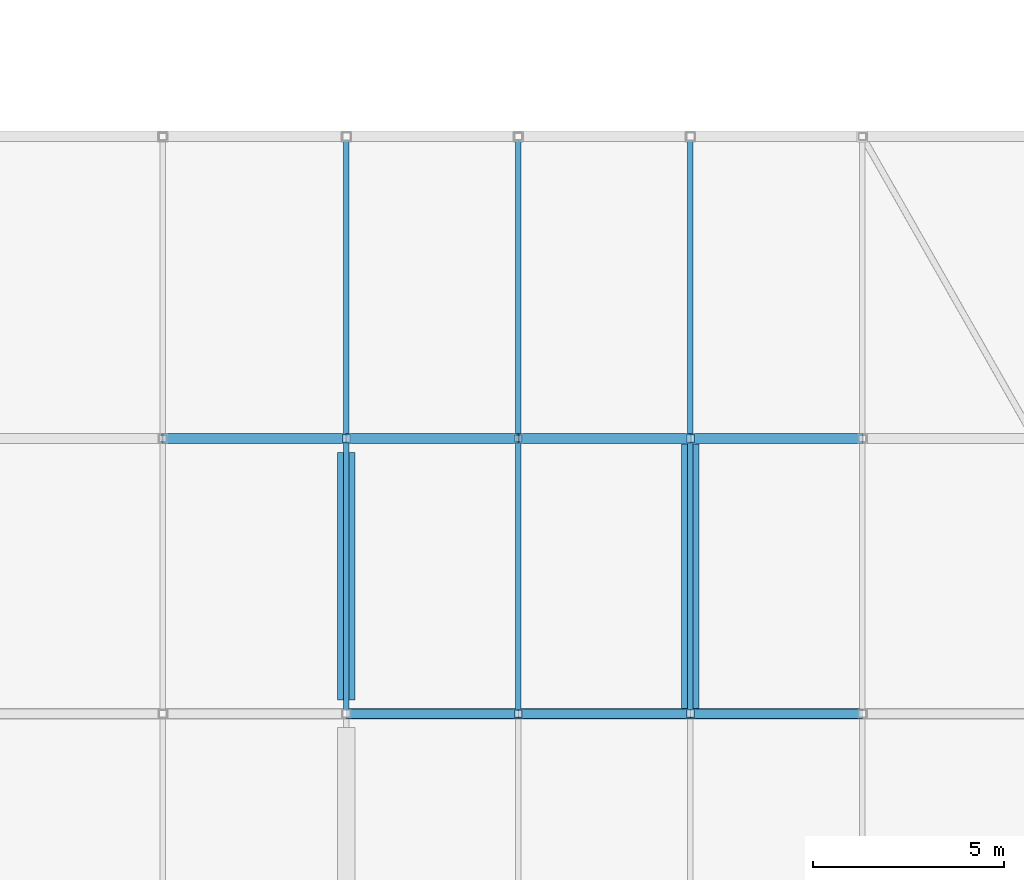
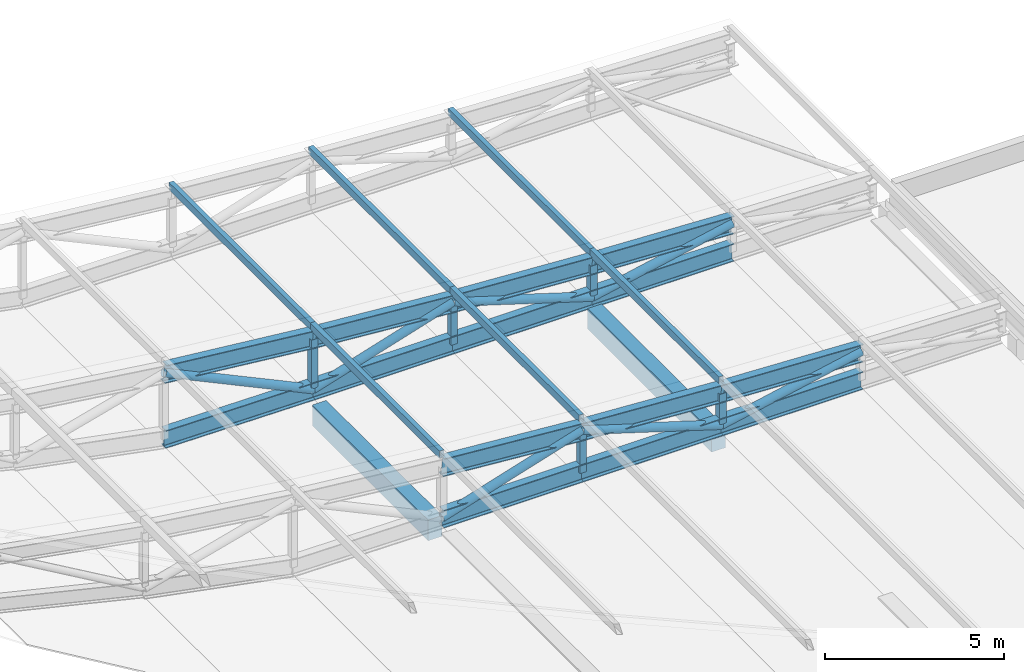
# One storey, part 64 of 114: 18 members, 16 beams.
"""IFC4 building model written with IfcOpenShell, lengths in metres."""

from ifc_helpers import new_model, si_unit, direction, frame, origin, origin_2d, place, context, subcontext, project, spatial, rectangle, hollow_rectangle, hollow_circle, i_section, extrude, material, material_profile, profile_set, type_object, element, save


model = new_model("IFC4")

# Units and contexts
model_context = context("Model", 3, precision=1e-05, world=origin(), true_north=direction((0.0, 1.0)))
body_context = subcontext(model_context, "Body", "Model", "MODEL_VIEW")
ifc_project = project(units=[si_unit("LENGTHUNIT", "METRE"), si_unit("AREAUNIT", "SQUARE_METRE"), si_unit("VOLUMEUNIT", "CUBIC_METRE"), si_unit("PLANEANGLEUNIT", "RADIAN"), si_unit("MASSUNIT", "GRAM", prefix="KILO"), si_unit("THERMODYNAMICTEMPERATUREUNIT", "KELVIN"), si_unit("POWERUNIT", "WATT")], contexts=[model_context])

# Site, building, storey
site_placement = place(None, origin())
site = spatial("IfcSite", under=ifc_project, at=site_placement, CompositionType="ELEMENT")
building_placement = place(site_placement, origin())
building = spatial("IfcBuilding", under=site, at=building_placement, Name="Sindhuravela Promenade Stadium", CompositionType="ELEMENT")
storey_placement = place(building_placement, frame((0.0, 0.0, 24.0)))
storey = spatial("IfcBuildingStorey", under=building, at=storey_placement, Name="L05", CompositionType="ELEMENT", Elevation=24.0)

# Beams
ifc_material_1 = material(Name="Concrete M40", Category="concrete")
ifc_material_profile_1 = material_profile(ifc_material_1, rectangle(XDim=0.449951171875, YDim=0.699951171875, at=origin_2d()), Name="RC 450x700")
ifc_profile_set_1 = profile_set([ifc_material_profile_1], Name="Concrete M40")
beam_type_1 = type_object("IfcBeamType", Name="RC-BM-450x700", PredefinedType="BEAM", material=ifc_profile_set_1)
beam_1_placement = place(storey_placement, frame((180.0, 110.1650390625, -0.594970703125), z_axis=(0.0, 1.0, 0.0), x_axis=(-1.0, 0.0, 0.0)))
element("IfcBeam", 1, at=beam_1_placement, inside=storey, type_object=beam_type_1, Name="Primary beam GB07 EAST L05", PredefinedType="BEAM", context=body_context, shape_type="SweptSolid", body=[
    extrude(rectangle(XDim=0.449951171875, YDim=0.699951171875, at=origin_2d()), origin(), (0.0, 0.0, 1.0), 6.469970703125),
])
beam_2_placement = place(storey_placement, frame((189.0, 109.93994140625, -0.594970703125), z_axis=(0.0, 1.0, 0.0), x_axis=(-1.0, 0.0, 0.0)))
element("IfcBeam", 2, at=beam_2_placement, inside=storey, type_object=beam_type_1, Name="Primary beam GB07 EAST L05", PredefinedType="BEAM", context=body_context, shape_type="SweptSolid", body=[
    extrude(rectangle(XDim=0.449951171875, YDim=0.699951171875, at=origin_2d()), origin(), (0.0, 0.0, 1.0), 6.920166015625),
])
ifc_material_2 = material(Name="Steel E350 (IS 2062 E350BR)", Category="steel")
ifc_material_profile_2 = material_profile(ifc_material_2, i_section(OverallWidth=0.25, OverallDepth=0.60009765625, WebThickness=0.01171875, FlangeThickness=0.023681640625, FilletRadius=0.01708984375, at=origin_2d()), Name="ISWB 600")
ifc_profile_set_2 = profile_set([ifc_material_profile_2], Name="Steel E350 (IS 2062 E350BR)")
beam_type_2 = type_object("IfcBeamType", Name="ST-BM-WB600", PredefinedType="USERDEFINED", material=ifc_profile_set_2)
beam_3_placement = place(storey_placement, frame((193.5, 109.800048828125, 0.9306640625), z_axis=(-0.9990310406412204, 0.0, 0.04401113308380376), x_axis=(0.0, -1.0, 0.0)))
element("IfcBeam", 3, at=beam_3_placement, inside=storey, type_object=beam_type_2, Name="Roof truss RT-E07 top chord 2", ObjectType="ROOF TRUSS", PredefinedType="USERDEFINED", context=body_context, shape_type="SweptSolid", body=[
    extrude(i_section(OverallWidth=0.25, OverallDepth=0.60009765625, WebThickness=0.01171875, FlangeThickness=0.023681640625, FilletRadius=0.01708984375, at=origin_2d()), origin(), (0.0, 0.0, 1.0), 4.50439453125),
])
beam_4_placement = place(storey_placement, frame((193.5, 109.800048828125, 0.0), z_axis=(-1.0, 0.0, 0.0), x_axis=(0.0, -1.0, 0.0)))
element("IfcBeam", 4, at=beam_4_placement, inside=storey, type_object=beam_type_2, Name="Roof truss RT-E07 bottom chord 2", ObjectType="ROOF TRUSS", PredefinedType="USERDEFINED", context=body_context, shape_type="SweptSolid", body=[
    extrude(i_section(OverallWidth=0.25, OverallDepth=0.60009765625, WebThickness=0.01171875, FlangeThickness=0.023681640625, FilletRadius=0.01708984375, at=origin_2d()), origin(), (0.0, 0.0, 1.0), 4.5),
])
beam_5_placement = place(storey_placement, frame((189.0, 109.800048828125, 1.12890625), z_axis=(-0.9981720622420935, 0.0, 0.06043619908106426), x_axis=(0.0, -1.0, 0.0)))
element("IfcBeam", 5, at=beam_5_placement, inside=storey, type_object=beam_type_2, Name="Roof truss RT-E07 top chord 3", ObjectType="ROOF TRUSS", PredefinedType="USERDEFINED", context=body_context, shape_type="SweptSolid", body=[
    extrude(i_section(OverallWidth=0.25, OverallDepth=0.60009765625, WebThickness=0.01171875, FlangeThickness=0.023681640625, FilletRadius=0.01708984375, at=origin_2d()), origin(), (0.0, 0.0, 1.0), 4.50830078125),
])
beam_6_placement = place(storey_placement, frame((189.0, 109.800048828125, 0.0), z_axis=(-1.0, 0.0, 0.0), x_axis=(0.0, -1.0, 0.0)))
element("IfcBeam", 6, at=beam_6_placement, inside=storey, type_object=beam_type_2, Name="Roof truss RT-E07 bottom chord 3", ObjectType="ROOF TRUSS", PredefinedType="USERDEFINED", context=body_context, shape_type="SweptSolid", body=[
    extrude(i_section(OverallWidth=0.25, OverallDepth=0.60009765625, WebThickness=0.01171875, FlangeThickness=0.023681640625, FilletRadius=0.01708984375, at=origin_2d()), origin(), (0.0, 0.0, 1.0), 4.5),
])
beam_7_placement = place(storey_placement, frame((184.5, 109.800048828125, 1.4013671875), z_axis=(-0.9968775679455489, 0.0, 0.07896274138457582), x_axis=(0.0, -1.0, 0.0)))
element("IfcBeam", 7, at=beam_7_placement, inside=storey, type_object=beam_type_2, Name="Roof truss RT-E07 top chord 4", ObjectType="ROOF TRUSS", PredefinedType="USERDEFINED", context=body_context, shape_type="SweptSolid", body=[
    extrude(i_section(OverallWidth=0.25, OverallDepth=0.60009765625, WebThickness=0.01171875, FlangeThickness=0.023681640625, FilletRadius=0.01708984375, at=origin_2d()), origin(), (0.0, 0.0, 1.0), 4.51416015625),
])
beam_8_placement = place(storey_placement, frame((184.5, 109.800048828125, 0.0), z_axis=(-1.0, 0.0, 0.0), x_axis=(0.0, -1.0, 0.0)))
element("IfcBeam", 8, at=beam_8_placement, inside=storey, type_object=beam_type_2, Name="Roof truss RT-E07 bottom chord 4", ObjectType="ROOF TRUSS", PredefinedType="USERDEFINED", context=body_context, shape_type="SweptSolid", body=[
    extrude(i_section(OverallWidth=0.25, OverallDepth=0.60009765625, WebThickness=0.01171875, FlangeThickness=0.023681640625, FilletRadius=0.01708984375, at=origin_2d()), origin(), (0.0, 0.0, 1.0), 4.5),
])
beam_9_placement = place(storey_placement, frame((193.5, 117.0, 0.9306640625), z_axis=(-0.9990310406412204, 0.0, 0.04401113308380376), x_axis=(0.0, -1.0, 0.0)))
element("IfcBeam", 9, at=beam_9_placement, inside=storey, type_object=beam_type_2, Name="Roof truss RT-E08 top chord 2", ObjectType="ROOF TRUSS", PredefinedType="USERDEFINED", context=body_context, shape_type="SweptSolid", body=[
    extrude(i_section(OverallWidth=0.25, OverallDepth=0.60009765625, WebThickness=0.01171875, FlangeThickness=0.023681640625, FilletRadius=0.01708984375, at=origin_2d()), origin(), (0.0, 0.0, 1.0), 4.50439453125),
])
beam_10_placement = place(storey_placement, frame((193.5, 117.0, 0.0), z_axis=(-1.0, 0.0, 0.0), x_axis=(0.0, -1.0, 0.0)))
element("IfcBeam", 10, at=beam_10_placement, inside=storey, type_object=beam_type_2, Name="Roof truss RT-E08 bottom chord 2", ObjectType="ROOF TRUSS", PredefinedType="USERDEFINED", context=body_context, shape_type="SweptSolid", body=[
    extrude(i_section(OverallWidth=0.25, OverallDepth=0.60009765625, WebThickness=0.01171875, FlangeThickness=0.023681640625, FilletRadius=0.01708984375, at=origin_2d()), origin(), (0.0, 0.0, 1.0), 4.5),
])
beam_11_placement = place(storey_placement, frame((189.0, 117.0, 1.12890625), z_axis=(-0.9981720622420935, 0.0, 0.06043619908106426), x_axis=(0.0, -1.0, 0.0)))
element("IfcBeam", 11, at=beam_11_placement, inside=storey, type_object=beam_type_2, Name="Roof truss RT-E08 top chord 3", ObjectType="ROOF TRUSS", PredefinedType="USERDEFINED", context=body_context, shape_type="SweptSolid", body=[
    extrude(i_section(OverallWidth=0.25, OverallDepth=0.60009765625, WebThickness=0.01171875, FlangeThickness=0.023681640625, FilletRadius=0.01708984375, at=origin_2d()), origin(), (0.0, 0.0, 1.0), 4.50830078125),
])
beam_12_placement = place(storey_placement, frame((189.0, 117.0, 0.0), z_axis=(-1.0, 0.0, 0.0), x_axis=(0.0, -1.0, 0.0)))
element("IfcBeam", 12, at=beam_12_placement, inside=storey, type_object=beam_type_2, Name="Roof truss RT-E08 bottom chord 3", ObjectType="ROOF TRUSS", PredefinedType="USERDEFINED", context=body_context, shape_type="SweptSolid", body=[
    extrude(i_section(OverallWidth=0.25, OverallDepth=0.60009765625, WebThickness=0.01171875, FlangeThickness=0.023681640625, FilletRadius=0.01708984375, at=origin_2d()), origin(), (0.0, 0.0, 1.0), 4.5),
])
beam_13_placement = place(storey_placement, frame((184.5, 117.0, 1.4013671875), z_axis=(-0.9968775679455489, 0.0, 0.07896274138457582), x_axis=(0.0, -1.0, 0.0)))
element("IfcBeam", 13, at=beam_13_placement, inside=storey, type_object=beam_type_2, Name="Roof truss RT-E08 top chord 4", ObjectType="ROOF TRUSS", PredefinedType="USERDEFINED", context=body_context, shape_type="SweptSolid", body=[
    extrude(i_section(OverallWidth=0.25, OverallDepth=0.60009765625, WebThickness=0.01171875, FlangeThickness=0.023681640625, FilletRadius=0.01708984375, at=origin_2d()), origin(), (0.0, 0.0, 1.0), 4.51416015625),
])
beam_14_placement = place(storey_placement, frame((184.5, 117.0, 0.0), z_axis=(-1.0, 0.0, 0.0), x_axis=(0.0, -1.0, 0.0)))
element("IfcBeam", 14, at=beam_14_placement, inside=storey, type_object=beam_type_2, Name="Roof truss RT-E08 bottom chord 4", ObjectType="ROOF TRUSS", PredefinedType="USERDEFINED", context=body_context, shape_type="SweptSolid", body=[
    extrude(i_section(OverallWidth=0.25, OverallDepth=0.60009765625, WebThickness=0.01171875, FlangeThickness=0.023681640625, FilletRadius=0.01708984375, at=origin_2d()), origin(), (0.0, 0.0, 1.0), 4.5),
])
beam_15_placement = place(storey_placement, frame((180.0, 117.0, 1.7578125), z_axis=(-0.9947943351162852, 0.0, 0.10190304617894301), x_axis=(0.0, -1.0, 0.0)))
element("IfcBeam", 15, at=beam_15_placement, inside=storey, type_object=beam_type_2, Name="Roof truss RT-E08 top chord 5", ObjectType="ROOF TRUSS", PredefinedType="USERDEFINED", context=body_context, shape_type="SweptSolid", body=[
    extrude(i_section(OverallWidth=0.25, OverallDepth=0.60009765625, WebThickness=0.01171875, FlangeThickness=0.023681640625, FilletRadius=0.01708984375, at=origin_2d()), origin(), (0.0, 0.0, 1.0), 4.8251953125),
])
beam_16_placement = place(storey_placement, frame((180.0, 117.0, 0.0), z_axis=(-0.9999778033758007, 0.0, 0.006662788883690041), x_axis=(0.0, -1.0, 0.0)))
element("IfcBeam", 16, at=beam_16_placement, inside=storey, type_object=beam_type_2, Name="Roof truss RT-E08 bottom chord 5", ObjectType="ROOF TRUSS", PredefinedType="USERDEFINED", context=body_context, shape_type="SweptSolid", body=[
    extrude(i_section(OverallWidth=0.25, OverallDepth=0.60009765625, WebThickness=0.01171875, FlangeThickness=0.023681640625, FilletRadius=0.01708984375, at=origin_2d()), origin(), (0.0, 0.0, 1.0), 4.800048828125),
])

# Members
ifc_material_profile_3 = material_profile(ifc_material_2, hollow_circle(Radius=0.136474609375, WallThickness=0.010009765625, at=origin_2d()), Name="CHS 273.0x10")
ifc_profile_set_3 = profile_set([ifc_material_profile_3], Name="Steel E350 (IS 2062 E350BR)")
member_type_1 = type_object("IfcMemberType", Name="ST-MB-CHS273", PredefinedType="BRACE", material=ifc_profile_set_3)
member_1_placement = place(storey_placement, frame((193.5, 109.800048828125, 0.9306640625), z_axis=(-0.9792764097222669, 0.0, -0.2025283026183421), x_axis=(0.0, -1.0, 0.0)))
element("IfcMember", 17, at=member_1_placement, inside=storey, type_object=member_type_1, Name="Roof truss RT-E07 diagonal web 2", PredefinedType="BRACE", context=body_context, shape_type="SweptSolid", body=[
    extrude(hollow_circle(Radius=0.136474609375, WallThickness=0.010009765625, at=origin_2d()), origin(), (0.0, 0.0, 1.0), 4.59521484375),
])
for number, where, z_axis, x_axis, name in (
    (18, (189.0, 109.800048828125, 0.0), (-0.9547744570376746, 0.0, 0.2973310212346057), (0.0, -1.0, 0.0), "Roof truss RT-E07 diagonal web 3"),
    (19, (184.5, 109.800048828125, 1.4013671875), (-0.9547744570376746, 0.0, -0.2973310212346057), (0.0, -1.0, 0.0), "Roof truss RT-E07 diagonal web 4"),
):
    element("IfcMember", number, at=place(storey_placement, frame(where, z_axis=z_axis, x_axis=x_axis)), inside=storey, type_object=member_type_1, Name=name, PredefinedType="BRACE", context=body_context, shape_type="SweptSolid", body=[
        extrude(hollow_circle(Radius=0.136474609375, WallThickness=0.010009765625, at=origin_2d()), origin(), (0.0, 0.0, 1.0), 4.713134765625),
    ])
member_2_placement = place(storey_placement, frame((193.5, 117.0, 0.9306640625), z_axis=(-0.9792764097222669, 0.0, -0.2025283026183421), x_axis=(0.0, -1.0, 0.0)))
element("IfcMember", 20, at=member_2_placement, inside=storey, type_object=member_type_1, Name="Roof truss RT-E08 diagonal web 2", PredefinedType="BRACE", context=body_context, shape_type="SweptSolid", body=[
    extrude(hollow_circle(Radius=0.136474609375, WallThickness=0.010009765625, at=origin_2d()), origin(), (0.0, 0.0, 1.0), 4.59521484375),
])
for number, where, z_axis, x_axis, name in (
    (21, (189.0, 117.0, 0.0), (-0.9547744570376746, 0.0, 0.2973310212346057), (0.0, -1.0, 0.0), "Roof truss RT-E08 diagonal web 3"),
    (22, (184.5, 117.0, 1.4013671875), (-0.9547744570376746, 0.0, -0.2973310212346057), (0.0, -1.0, 0.0), "Roof truss RT-E08 diagonal web 4"),
):
    element("IfcMember", number, at=place(storey_placement, frame(where, z_axis=z_axis, x_axis=x_axis)), inside=storey, type_object=member_type_1, Name=name, PredefinedType="BRACE", context=body_context, shape_type="SweptSolid", body=[
        extrude(hollow_circle(Radius=0.136474609375, WallThickness=0.010009765625, at=origin_2d()), origin(), (0.0, 0.0, 1.0), 4.713134765625),
    ])
member_3_placement = place(storey_placement, frame((180.0, 117.0, 0.0), z_axis=(-0.9054959907272458, 0.0, 0.4243548170775059), x_axis=(0.0, -1.0, 0.0)))
element("IfcMember", 23, at=member_3_placement, inside=storey, type_object=member_type_1, Name="Roof truss RT-E08 diagonal web 5", PredefinedType="BRACE", context=body_context, shape_type="SweptSolid", body=[
    extrude(hollow_circle(Radius=0.136474609375, WallThickness=0.010009765625, at=origin_2d()), origin(), (0.0, 0.0, 1.0), 5.301025390625),
])
ifc_material_profile_4 = material_profile(ifc_material_2, hollow_rectangle(XDim=0.14990234375, YDim=0.25, WallThickness=0.010009765625, at=origin_2d()), Name="RHS 250x150x10")
ifc_profile_set_4 = profile_set([ifc_material_profile_4], Name="Steel E350 (IS 2062 E350BR)")
member_type_2 = type_object("IfcMemberType", Name="ST-MB-RHS250", PredefinedType="PURLIN", material=ifc_profile_set_4)
for number, where, z_axis, x_axis, name in (
    (24, (189.0, 109.800048828125, 1.52099609375), (0.0, 1.0, 0.0), (-1.0, 0.0, 0.0), "Roof purlin PR01 E bay 7.3"),
    (25, (184.5, 109.800048828125, 1.79345703125), (0.0, 1.0, 0.0), (-1.0, 0.0, 0.0), "Roof purlin PR01 E bay 7.4"),
    (26, (180.0, 109.800048828125, 2.14990234375), (0.0, 1.0, 0.0), (-1.0, 0.0, 0.0), "Roof purlin PR01 E bay 7.5"),
):
    element("IfcMember", number, at=place(storey_placement, frame(where, z_axis=z_axis, x_axis=x_axis)), inside=storey, type_object=member_type_2, Name=name, PredefinedType="PURLIN", context=body_context, shape_type="SweptSolid", body=[
        extrude(hollow_rectangle(XDim=0.14990234375, YDim=0.25, WallThickness=0.010009765625, at=origin_2d()), origin(), (0.0, 0.0, 1.0), 7.199951171875),
    ])
for number, where, z_axis, x_axis, name in (
    (27, (189.0, 117.0, 1.52099609375), (0.0, 1.0, 0.0), (-1.0, 0.0, 0.0), "Roof purlin PR01 E bay 8.3"),
    (28, (184.5, 117.0, 1.79345703125), (0.0, 1.0, 0.0), (-1.0, 0.0, 0.0), "Roof purlin PR01 E bay 8.4"),
    (29, (180.0, 117.0, 2.14990234375), (0.0, 1.0, 0.0), (-1.0, 0.0, 0.0), "Roof purlin PR01 E bay 8.5"),
):
    element("IfcMember", number, at=place(storey_placement, frame(where, z_axis=z_axis, x_axis=x_axis)), inside=storey, type_object=member_type_2, Name=name, PredefinedType="PURLIN", context=body_context, shape_type="SweptSolid", body=[
        extrude(hollow_rectangle(XDim=0.14990234375, YDim=0.25, WallThickness=0.010009765625, at=origin_2d()), origin(), (0.0, 0.0, 1.0), 7.89990234375),
    ])
ifc_material_profile_5 = material_profile(ifc_material_2, hollow_rectangle(XDim=0.199951171875, YDim=0.199951171875, WallThickness=0.010009765625, at=origin_2d()), Name="SHS 200x200x10")
ifc_profile_set_5 = profile_set([ifc_material_profile_5], Name="Steel E350 (IS 2062 E350BR)")
member_type_3 = type_object("IfcMemberType", Name="ST-MB-SHS200", PredefinedType="POST", material=ifc_profile_set_5)
for number, where, z_axis, x_axis, name in (
    (30, (184.5, 109.800048828125, 0.0), (0.0, 0.0, 1.0), (1.0, 0.0, 0.0), "Roof truss RT-E07 vertical post 4"),
    (31, (184.5, 117.0, 0.0), (0.0, 0.0, 1.0), (1.0, 0.0, 0.0), "Roof truss RT-E08 vertical post 4"),
):
    element("IfcMember", number, at=place(storey_placement, frame(where, z_axis=z_axis, x_axis=x_axis)), inside=storey, type_object=member_type_3, Name=name, PredefinedType="POST", context=body_context, shape_type="SweptSolid", body=[
        extrude(hollow_rectangle(XDim=0.199951171875, YDim=0.199951171875, WallThickness=0.010009765625, at=origin_2d()), origin(), (0.0, 0.0, 1.0), 1.4013671875),
    ])
ifc_material_profile_6 = material_profile(ifc_material_2, hollow_rectangle(XDim=0.219970703125, YDim=0.219970703125, WallThickness=0.011962890625, at=origin_2d()), Name="SHS 220x220x12")
ifc_profile_set_6 = profile_set([ifc_material_profile_6], Name="Steel E350 (IS 2062 E350BR)")
member_type_4 = type_object("IfcMemberType", Name="ST-MB-SHS220", PredefinedType="POST", material=ifc_profile_set_6)
for number, where, z_axis, x_axis, name in (
    (32, (189.0, 109.800048828125, 0.0), (0.0, 0.0, 1.0), (1.0, 0.0, 0.0), "Roof truss RT-E07 vertical post 3"),
    (33, (189.0, 117.0, 0.0), (0.0, 0.0, 1.0), (1.0, 0.0, 0.0), "Roof truss RT-E08 vertical post 3"),
):
    element("IfcMember", number, at=place(storey_placement, frame(where, z_axis=z_axis, x_axis=x_axis)), inside=storey, type_object=member_type_4, Name=name, PredefinedType="POST", context=body_context, shape_type="SweptSolid", body=[
        extrude(hollow_rectangle(XDim=0.219970703125, YDim=0.219970703125, WallThickness=0.011962890625, at=origin_2d()), origin(), (0.0, 0.0, 1.0), 1.12890625),
    ])
member_4_placement = place(storey_placement, frame((180.0, 117.0, 0.0), z_axis=(0.0, 0.0, 1.0), x_axis=(1.0, 0.0, 0.0)))
element("IfcMember", 34, at=member_4_placement, inside=storey, type_object=member_type_4, Name="Roof truss RT-E08 vertical post 5", PredefinedType="POST", context=body_context, shape_type="SweptSolid", body=[
    extrude(hollow_rectangle(XDim=0.219970703125, YDim=0.219970703125, WallThickness=0.011962890625, at=origin_2d()), origin(), (0.0, 0.0, 1.0), 1.7578125),
])

save(model, "model.ifc")
